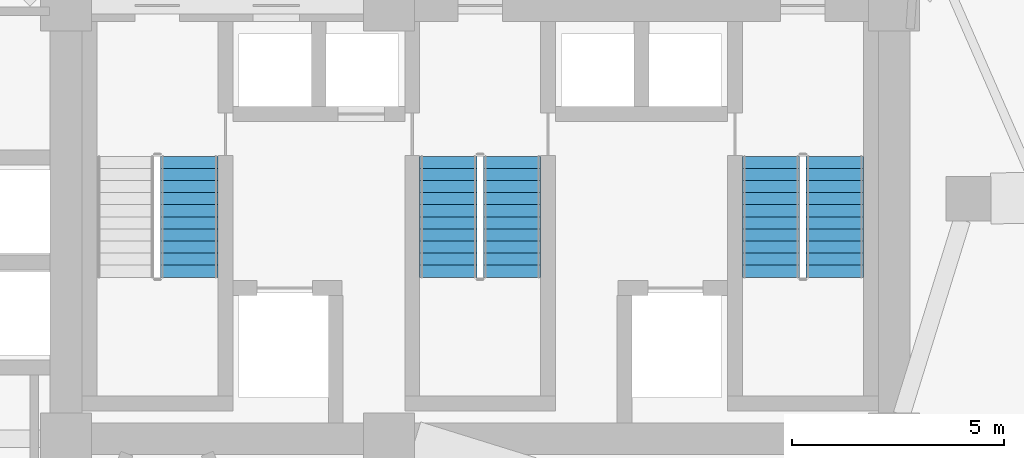
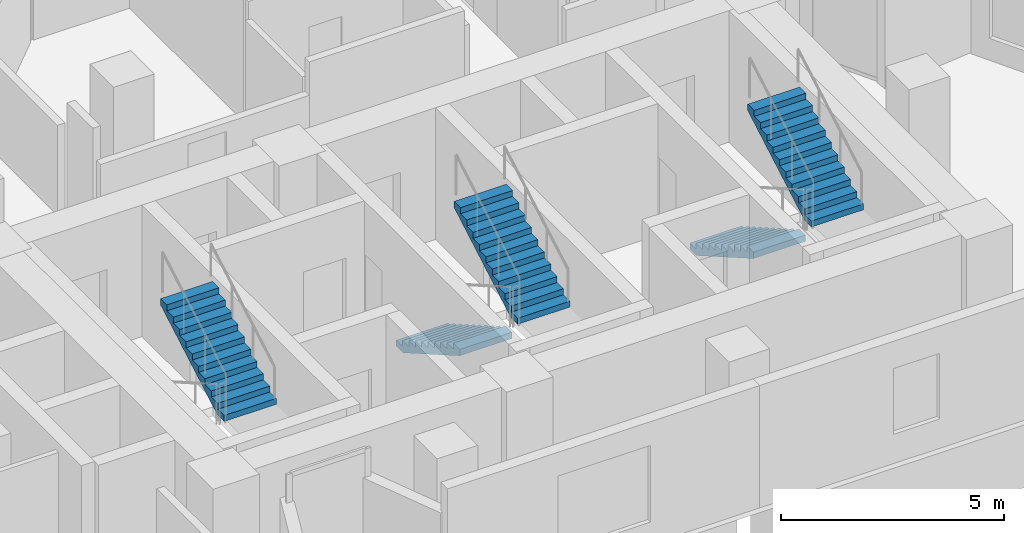
# One storey, part 10 of 11: 5 stair flights, 3 elements without a shape of their own.
"""IFC4 building model written with IfcOpenShell, lengths in metres."""

from ifc_helpers import new_model, si_unit, direction, frame, origin, place, context, subcontext, project, spatial, polyline, outline, extrude, material, type_object, element, aggregate, save


model = new_model("IFC4")

# Units and contexts
model_context = context("Model", 3, precision=1e-05, world=origin(), true_north=direction((0.0, 1.0)))
body_context = subcontext(model_context, "Body", "Model", "MODEL_VIEW")
ifc_project = project(units=[si_unit("LENGTHUNIT", "METRE"), si_unit("AREAUNIT", "SQUARE_METRE"), si_unit("VOLUMEUNIT", "CUBIC_METRE"), si_unit("PLANEANGLEUNIT", "RADIAN"), si_unit("MASSUNIT", "GRAM", prefix="KILO")], contexts=[model_context])

# Site, building, storey
site_placement = place(None, origin())
site = spatial("IfcSite", under=ifc_project, at=site_placement, CompositionType="ELEMENT")
building_placement = place(site_placement, origin())
building = spatial("IfcBuilding", under=site, at=building_placement, Name="Almagre Mirador Tower", CompositionType="ELEMENT")
storey_placement = place(building_placement, frame((0.0, 0.0, 175.199951171875)))
storey = spatial("IfcBuildingStorey", under=building, at=storey_placement, Name="L45", CompositionType="ELEMENT", Elevation=175.199951171875)

# Stair, stair flight
ifc_material_1 = material(Name="Concrete C45/55", Category="concrete")
stair_type = type_object("IfcStairType", Name="STR-DL-3600", PredefinedType="HALF_TURN_STAIR", material=ifc_material_1)
stair_1_placement = place(storey_placement, origin())
stair_1 = element("IfcStair", 1, at=stair_1_placement, inside=storey, type_object=stair_type, Name="L45 Protected exit stair ST-1", PredefinedType="HALF_TURN_STAIR")
ifc_material_2 = material(Name="Concrete C45/55", Category="concrete")
stair_flight_type = type_object("IfcStairFlightType", Name="FLT-DL-3600", PredefinedType="STRAIGHT", material=ifc_material_2)
stair_flight_1_placement = place(storey_placement, frame((30.449951171875, 8.35009765625, 1.800048828125), z_axis=(0.0, 0.0, 1.0), x_axis=(0.0, 1.0, 0.0)))
stair_flight_1 = element("IfcStairFlight", 2, at=stair_flight_1_placement, type_object=stair_flight_type, Name="ST-1 flight 2", NumberOfRisers=11, NumberOfTreads=10, PredefinedType="STRAIGHT", RiserHeight=0.163636364, TreadLength=0.285, context=body_context, shape_type="SweptSolid", body=[
    extrude(outline(polyline([(0.0, 0.0), (0.0, 0.16357421875), (0.284912109375, 0.16357421875), (0.284912109375, 0.327392578125), (0.570068359375, 0.327392578125), (0.570068359375, 0.490966796875), (0.85498046875, 0.490966796875), (0.85498046875, 0.654541015625), (1.139892578125, 0.654541015625), (1.139892578125, 0.818115234375), (1.425048828125, 0.818115234375), (1.425048828125, 0.98193359375), (1.7099609375, 0.98193359375), (1.7099609375, 1.1455078125), (1.9951171875, 1.1455078125), (1.9951171875, 1.30908203125), (2.280029296875, 1.30908203125), (2.280029296875, 1.47265625), (2.56494140625, 1.47265625), (2.56494140625, 1.636474609375), (2.85009765625, 1.636474609375), (2.85009765625, 1.800048828125), (2.85009765625, 1.463623046875), (0.301025390625, 0.0), (0.0, 0.0)])), frame((0.0, 0.675048828125, 0.0), z_axis=(0.0, -1.0, 0.0), x_axis=(1.0, 0.0, 0.0)), (0.0, 0.0, 1.0), 1.35009765625),
])
aggregate(stair_1, [stair_flight_1])

# Stair, stair flights
stair_2_placement = place(storey_placement, origin())
stair_2 = element("IfcStair", 3, at=stair_2_placement, inside=storey, type_object=stair_type, Name="L45 Protected exit stair ST-2", PredefinedType="HALF_TURN_STAIR")
stair_flight_2_placement = place(storey_placement, frame((36.550048828125, 11.199951171875, 0.0), z_axis=(0.0, 0.0, 1.0), x_axis=(0.0, -1.0, 0.0)))
stair_flight_2 = element("IfcStairFlight", 4, at=stair_flight_2_placement, type_object=stair_flight_type, Name="ST-2 flight 1", NumberOfRisers=11, NumberOfTreads=10, PredefinedType="STRAIGHT", RiserHeight=0.163636364, TreadLength=0.285, context=body_context, shape_type="SweptSolid", body=[
    extrude(outline(polyline([(0.0, 0.0), (0.0, 0.16357421875), (0.284912109375, 0.16357421875), (0.284912109375, 0.327392578125), (0.570068359375, 0.327392578125), (0.570068359375, 0.490966796875), (0.85498046875, 0.490966796875), (0.85498046875, 0.654541015625), (1.139892578125, 0.654541015625), (1.139892578125, 0.818115234375), (1.425048828125, 0.818115234375), (1.425048828125, 0.98193359375), (1.7099609375, 0.98193359375), (1.7099609375, 1.1455078125), (1.9951171875, 1.1455078125), (1.9951171875, 1.30908203125), (2.280029296875, 1.30908203125), (2.280029296875, 1.47265625), (2.56494140625, 1.47265625), (2.56494140625, 1.636474609375), (2.85009765625, 1.636474609375), (2.85009765625, 1.800048828125), (2.85009765625, 1.463623046875), (0.301025390625, 0.0), (0.0, 0.0)])), frame((0.0, 0.675048828125, 0.0), z_axis=(0.0, -1.0, 0.0), x_axis=(1.0, 0.0, 0.0)), (0.0, 0.0, 1.0), 1.35009765625),
])
stair_flight_3_placement = place(storey_placement, frame((38.050048828125, 8.35009765625, 1.800048828125), z_axis=(0.0, 0.0, 1.0), x_axis=(0.0, 1.0, 0.0)))
stair_flight_3 = element("IfcStairFlight", 5, at=stair_flight_3_placement, type_object=stair_flight_type, Name="ST-2 flight 2", NumberOfRisers=11, NumberOfTreads=10, PredefinedType="STRAIGHT", RiserHeight=0.163636364, TreadLength=0.285, context=body_context, shape_type="SweptSolid", body=[
    extrude(outline(polyline([(0.0, 0.0), (0.0, 0.16357421875), (0.284912109375, 0.16357421875), (0.284912109375, 0.327392578125), (0.570068359375, 0.327392578125), (0.570068359375, 0.490966796875), (0.85498046875, 0.490966796875), (0.85498046875, 0.654541015625), (1.139892578125, 0.654541015625), (1.139892578125, 0.818115234375), (1.425048828125, 0.818115234375), (1.425048828125, 0.98193359375), (1.7099609375, 0.98193359375), (1.7099609375, 1.1455078125), (1.9951171875, 1.1455078125), (1.9951171875, 1.30908203125), (2.280029296875, 1.30908203125), (2.280029296875, 1.47265625), (2.56494140625, 1.47265625), (2.56494140625, 1.636474609375), (2.85009765625, 1.636474609375), (2.85009765625, 1.800048828125), (2.85009765625, 1.463623046875), (0.301025390625, 0.0), (0.0, 0.0)])), frame((0.0, 0.675048828125, 0.0), z_axis=(0.0, -1.0, 0.0), x_axis=(1.0, 0.0, 0.0)), (0.0, 0.0, 1.0), 1.35009765625),
])
aggregate(stair_2, [stair_flight_2, stair_flight_3])

stair_3_placement = place(storey_placement, origin())
stair_3 = element("IfcStair", 6, at=stair_3_placement, inside=storey, type_object=stair_type, Name="L45 Protected exit stair ST-3", PredefinedType="HALF_TURN_STAIR")
stair_flight_4_placement = place(storey_placement, frame((44.14990234375, 11.199951171875, 0.0), z_axis=(0.0, 0.0, 1.0), x_axis=(0.0, -1.0, 0.0)))
stair_flight_4 = element("IfcStairFlight", 7, at=stair_flight_4_placement, type_object=stair_flight_type, Name="ST-3 flight 1", NumberOfRisers=11, NumberOfTreads=10, PredefinedType="STRAIGHT", RiserHeight=0.163636364, TreadLength=0.285, context=body_context, shape_type="SweptSolid", body=[
    extrude(outline(polyline([(0.0, 0.0), (0.0, 0.16357421875), (0.284912109375, 0.16357421875), (0.284912109375, 0.327392578125), (0.570068359375, 0.327392578125), (0.570068359375, 0.490966796875), (0.85498046875, 0.490966796875), (0.85498046875, 0.654541015625), (1.139892578125, 0.654541015625), (1.139892578125, 0.818115234375), (1.425048828125, 0.818115234375), (1.425048828125, 0.98193359375), (1.7099609375, 0.98193359375), (1.7099609375, 1.1455078125), (1.9951171875, 1.1455078125), (1.9951171875, 1.30908203125), (2.280029296875, 1.30908203125), (2.280029296875, 1.47265625), (2.56494140625, 1.47265625), (2.56494140625, 1.636474609375), (2.85009765625, 1.636474609375), (2.85009765625, 1.800048828125), (2.85009765625, 1.463623046875), (0.301025390625, 0.0), (0.0, 0.0)])), frame((0.0, 0.675048828125, 0.0), z_axis=(0.0, -1.0, 0.0), x_axis=(1.0, 0.0, 0.0)), (0.0, 0.0, 1.0), 1.35009765625),
])
stair_flight_5_placement = place(storey_placement, frame((45.64990234375, 8.35009765625, 1.800048828125), z_axis=(0.0, 0.0, 1.0), x_axis=(0.0, 1.0, 0.0)))
stair_flight_5 = element("IfcStairFlight", 8, at=stair_flight_5_placement, type_object=stair_flight_type, Name="ST-3 flight 2", NumberOfRisers=11, NumberOfTreads=10, PredefinedType="STRAIGHT", RiserHeight=0.163636364, TreadLength=0.285, context=body_context, shape_type="SweptSolid", body=[
    extrude(outline(polyline([(0.0, 0.0), (0.0, 0.16357421875), (0.284912109375, 0.16357421875), (0.284912109375, 0.327392578125), (0.570068359375, 0.327392578125), (0.570068359375, 0.490966796875), (0.85498046875, 0.490966796875), (0.85498046875, 0.654541015625), (1.139892578125, 0.654541015625), (1.139892578125, 0.818115234375), (1.425048828125, 0.818115234375), (1.425048828125, 0.98193359375), (1.7099609375, 0.98193359375), (1.7099609375, 1.1455078125), (1.9951171875, 1.1455078125), (1.9951171875, 1.30908203125), (2.280029296875, 1.30908203125), (2.280029296875, 1.47265625), (2.56494140625, 1.47265625), (2.56494140625, 1.636474609375), (2.85009765625, 1.636474609375), (2.85009765625, 1.800048828125), (2.85009765625, 1.463623046875), (0.301025390625, 0.0), (0.0, 0.0)])), frame((0.0, 0.675048828125, 0.0), z_axis=(0.0, -1.0, 0.0), x_axis=(1.0, 0.0, 0.0)), (0.0, 0.0, 1.0), 1.35009765625),
])
aggregate(stair_3, [stair_flight_4, stair_flight_5])

save(model, "model.ifc")
